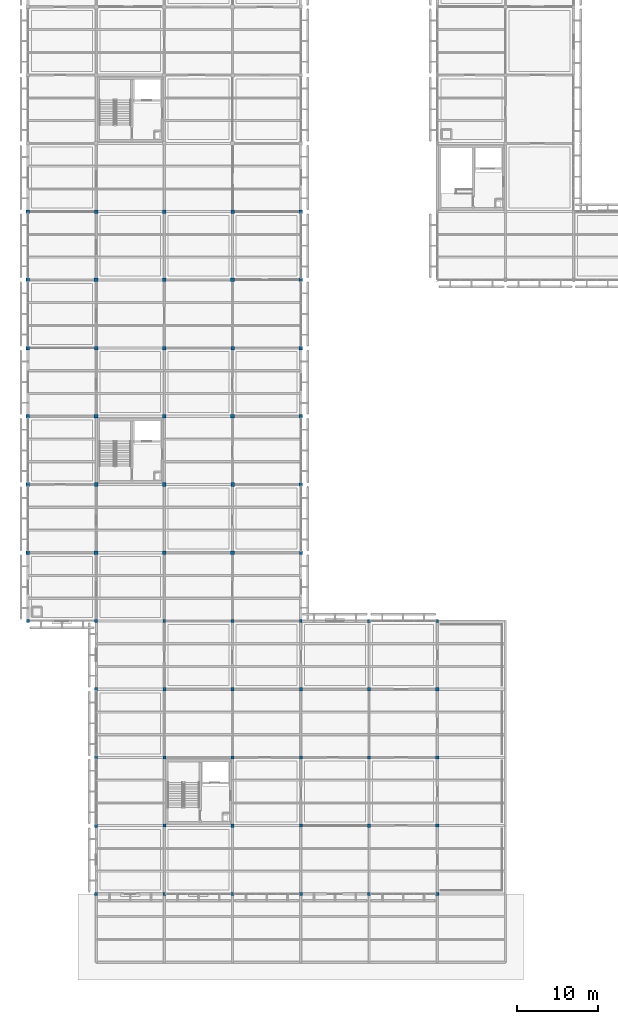
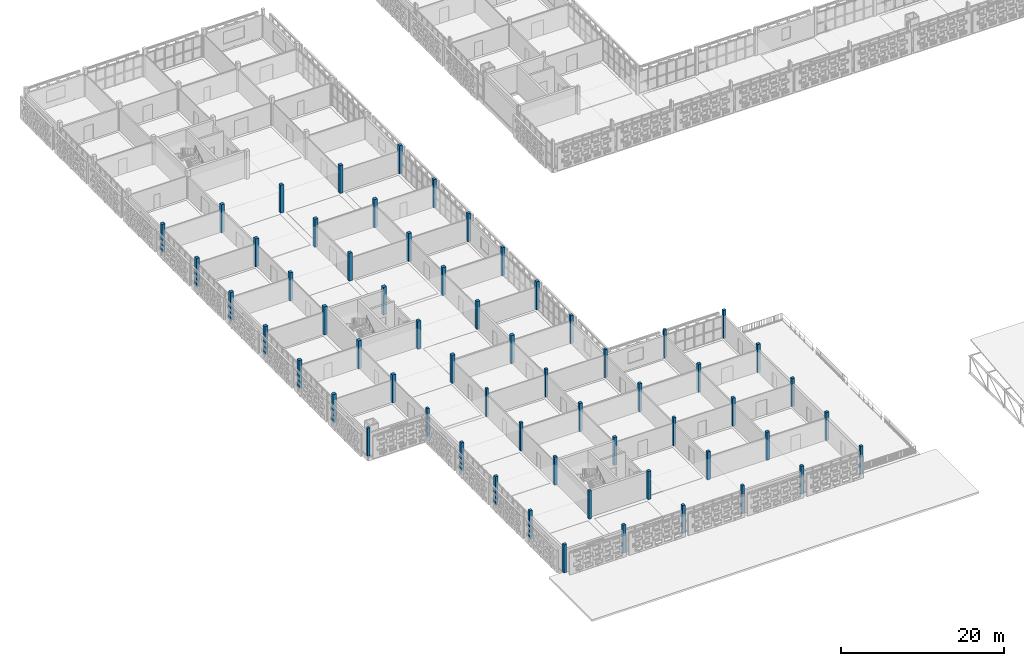
# One storey, part 1 of 140: 61 columns.
"""IFC4 building model written with IfcOpenShell, lengths in metres."""

from ifc_helpers import new_model, si_unit, direction, frame, origin, origin_2d, place, context, subcontext, project, spatial, rectangle, extrude, material, material_profile, profile_set, type_object, element, save


model = new_model("IFC4")

# Units and contexts
model_context = context("Model", 3, precision=1e-05, world=origin(), true_north=direction((0.0, 1.0)))
body_context = subcontext(model_context, "Body", "Model", "MODEL_VIEW")
ifc_project = project(units=[si_unit("LENGTHUNIT", "METRE"), si_unit("AREAUNIT", "SQUARE_METRE"), si_unit("VOLUMEUNIT", "CUBIC_METRE"), si_unit("PLANEANGLEUNIT", "RADIAN"), si_unit("MASSUNIT", "GRAM", prefix="KILO")], contexts=[model_context])

# Site, building, storey
site_placement = place(None, origin())
site = spatial("IfcSite", under=ifc_project, at=site_placement, CompositionType="ELEMENT")
building_placement = place(site_placement, origin())
building = spatial("IfcBuilding", under=site, at=building_placement, Name="Varnapada Polytechnic", CompositionType="ELEMENT")
storey_placement = place(building_placement, frame((0.0, 0.0, 13.800048828125)))
storey = spatial("IfcBuildingStorey", under=building, at=storey_placement, Name="L03", CompositionType="ELEMENT", Elevation=13.800048828125)

# Columns
ifc_material = material(Name="Glulam GL32h", Category="wood")
ifc_material_profile_1 = material_profile(ifc_material, rectangle(XDim=0.4599609375, YDim=0.4599609375, at=origin_2d()), Name="GL 460x460")
ifc_profile_set_1 = profile_set([ifc_material_profile_1], Name="Glulam GL32h")
column_type_1 = type_object("IfcColumnType", Name="Column C-12 (GL 460x460)", PredefinedType="COLUMN", material=ifc_profile_set_1)
for number, where, z_axis, x_axis, name in (
    (1, (0.0, 50.39990234375, 0.0), (0.0, 0.0, 1.0), (1.0, 0.0, 0.0), "L03 column 1/7"),
    (2, (0.0, 67.199951171875, 0.0), (0.0, 0.0, 1.0), (1.0, 0.0, 0.0), "L03 column 1/9"),
    (3, (0.0, 84.0, 0.0), (0.0, 0.0, 1.0), (1.0, 0.0, 0.0), "L03 column 1/11"),
    (4, (8.39990234375, 50.39990234375, 0.0), (0.0, 0.0, 1.0), (1.0, 0.0, 0.0), "L03 column 2/7"),
    (5, (8.39990234375, 67.199951171875, 0.0), (0.0, 0.0, 1.0), (1.0, 0.0, 0.0), "L03 column 2/9"),
    (6, (8.39990234375, 84.0, 0.0), (0.0, 0.0, 1.0), (1.0, 0.0, 0.0), "L03 column 2/11"),
    (7, (16.800048828125, 50.39990234375, 0.0), (0.0, 0.0, 1.0), (1.0, 0.0, 0.0), "L03 column 3/7"),
    (8, (16.800048828125, 67.199951171875, 0.0), (0.0, 0.0, 1.0), (1.0, 0.0, 0.0), "L03 column 3/9"),
    (9, (16.800048828125, 84.0, 0.0), (0.0, 0.0, 1.0), (1.0, 0.0, 0.0), "L03 column 3/11"),
    (10, (25.199951171875, 50.39990234375, 0.0), (0.0, 0.0, 1.0), (1.0, 0.0, 0.0), "L03 column 4/7"),
    (11, (25.199951171875, 67.199951171875, 0.0), (0.0, 0.0, 1.0), (1.0, 0.0, 0.0), "L03 column 4/9"),
    (12, (25.199951171875, 84.0, 0.0), (0.0, 0.0, 1.0), (1.0, 0.0, 0.0), "L03 column 4/11"),
):
    element("IfcColumn", number, at=place(storey_placement, frame(where, z_axis=z_axis, x_axis=x_axis)), inside=storey, type_object=column_type_1, Name=name, PredefinedType="COLUMN", context=body_context, shape_type="SweptSolid", body=[
        extrude(rectangle(XDim=0.4599609375, YDim=0.4599609375, at=origin_2d()), origin(), (0.0, 0.0, 1.0), 4.199951171875),
    ])
ifc_material_profile_2 = material_profile(ifc_material, rectangle(XDim=0.39990234375, YDim=0.39990234375, at=origin_2d()), Name="GL 400x400")
ifc_profile_set_2 = profile_set([ifc_material_profile_2], Name="Glulam GL32h")
column_type_2 = type_object("IfcColumnType", Name="Column C-13 (GL 400x400)", PredefinedType="COLUMN", material=ifc_profile_set_2)
for number, where, z_axis, x_axis, name in (
    (13, (8.39990234375, 8.39990234375, 0.0), (0.0, 0.0, 1.0), (1.0, 0.0, 0.0), "L03 column 2/2"),
    (14, (8.39990234375, 16.800048828125, 0.0), (0.0, 0.0, 1.0), (1.0, 0.0, 0.0), "L03 column 2/3"),
    (15, (8.39990234375, 25.199951171875, 0.0), (0.0, 0.0, 1.0), (1.0, 0.0, 0.0), "L03 column 2/4"),
    (16, (8.39990234375, 33.60009765625, 0.0), (0.0, 0.0, 1.0), (1.0, 0.0, 0.0), "L03 column 2/5"),
    (17, (25.199951171875, 8.39990234375, 0.0), (0.0, 0.0, 1.0), (1.0, 0.0, 0.0), "L03 column 4/2"),
    (18, (25.199951171875, 16.800048828125, 0.0), (0.0, 0.0, 1.0), (1.0, 0.0, 0.0), "L03 column 4/3"),
    (19, (25.199951171875, 25.199951171875, 0.0), (0.0, 0.0, 1.0), (1.0, 0.0, 0.0), "L03 column 4/4"),
    (20, (25.199951171875, 33.60009765625, 0.0), (0.0, 0.0, 1.0), (1.0, 0.0, 0.0), "L03 column 4/5"),
    (21, (42.0, 8.39990234375, 0.0), (0.0, 0.0, 1.0), (1.0, 0.0, 0.0), "L03 column 6/2"),
    (22, (42.0, 16.800048828125, 0.0), (0.0, 0.0, 1.0), (1.0, 0.0, 0.0), "L03 column 6/3"),
    (23, (42.0, 25.199951171875, 0.0), (0.0, 0.0, 1.0), (1.0, 0.0, 0.0), "L03 column 6/4"),
    (24, (42.0, 33.60009765625, 0.0), (0.0, 0.0, 1.0), (1.0, 0.0, 0.0), "L03 column 6/5"),
):
    element("IfcColumn", number, at=place(storey_placement, frame(where, z_axis=z_axis, x_axis=x_axis)), inside=storey, type_object=column_type_2, Name=name, PredefinedType="COLUMN", context=body_context, shape_type="SweptSolid", body=[
        extrude(rectangle(XDim=0.39990234375, YDim=0.39990234375, at=origin_2d()), origin(), (0.0, 0.0, 1.0), 4.199951171875),
    ])
ifc_material_profile_3 = material_profile(ifc_material, rectangle(XDim=0.419921875, YDim=0.419921875, at=origin_2d()), Name="GL 420x420")
ifc_profile_set_3 = profile_set([ifc_material_profile_3], Name="Glulam GL32h")
column_type_3 = type_object("IfcColumnType", Name="Column C-23 (GL 420x420)", PredefinedType="COLUMN", material=ifc_profile_set_3)
for number, where, z_axis, x_axis, name in (
    (25, (33.60009765625, 58.800048828125, 0.0), (0.0, 0.0, 1.0), (1.0, 0.0, 0.0), "L03 column 5/8"),
    (26, (33.60009765625, 67.199951171875, 0.0), (0.0, 0.0, 1.0), (1.0, 0.0, 0.0), "L03 column 5/9"),
    (27, (33.60009765625, 75.60009765625, 0.0), (0.0, 0.0, 1.0), (1.0, 0.0, 0.0), "L03 column 5/10"),
    (28, (33.60009765625, 84.0, 0.0), (0.0, 0.0, 1.0), (1.0, 0.0, 0.0), "L03 column 5/11"),
    (29, (33.60009765625, 92.39990234375, 0.0), (0.0, 0.0, 1.0), (1.0, 0.0, 0.0), "L03 column 5/12"),
):
    element("IfcColumn", number, at=place(storey_placement, frame(where, z_axis=z_axis, x_axis=x_axis)), inside=storey, type_object=column_type_3, Name=name, PredefinedType="COLUMN", context=body_context, shape_type="SweptSolid", body=[
        extrude(rectangle(XDim=0.419921875, YDim=0.419921875, at=origin_2d()), origin(), (0.0, 0.0, 1.0), 4.199951171875),
    ])
ifc_material_profile_4 = material_profile(ifc_material, rectangle(XDim=0.3798828125, YDim=0.3798828125, at=origin_2d()), Name="GL 380x380")
ifc_profile_set_4 = profile_set([ifc_material_profile_4], Name="Glulam GL32h")
column_type_4 = type_object("IfcColumnType", Name="Column C-24 (GL 380x380)", PredefinedType="COLUMN", material=ifc_profile_set_4)
for number, where, z_axis, x_axis, name in (
    (30, (16.800048828125, 8.39990234375, 0.0), (0.0, 0.0, 1.0), (1.0, 0.0, 0.0), "L03 column 3/2"),
    (31, (16.800048828125, 16.800048828125, 0.0), (0.0, 0.0, 1.0), (1.0, 0.0, 0.0), "L03 column 3/3"),
    (32, (16.800048828125, 25.199951171875, 0.0), (0.0, 0.0, 1.0), (1.0, 0.0, 0.0), "L03 column 3/4"),
    (33, (16.800048828125, 33.60009765625, 0.0), (0.0, 0.0, 1.0), (1.0, 0.0, 0.0), "L03 column 3/5"),
    (34, (33.60009765625, 8.39990234375, 0.0), (0.0, 0.0, 1.0), (1.0, 0.0, 0.0), "L03 column 5/2"),
    (35, (33.60009765625, 16.800048828125, 0.0), (0.0, 0.0, 1.0), (1.0, 0.0, 0.0), "L03 column 5/3"),
    (36, (33.60009765625, 25.199951171875, 0.0), (0.0, 0.0, 1.0), (1.0, 0.0, 0.0), "L03 column 5/4"),
    (37, (33.60009765625, 33.60009765625, 0.0), (0.0, 0.0, 1.0), (1.0, 0.0, 0.0), "L03 column 5/5"),
    (38, (33.60009765625, 50.39990234375, 0.0), (0.0, 0.0, 1.0), (1.0, 0.0, 0.0), "L03 column 5/7"),
    (39, (50.39990234375, 8.39990234375, 0.0), (0.0, 0.0, 1.0), (1.0, 0.0, 0.0), "L03 column 7/2"),
    (40, (50.39990234375, 16.800048828125, 0.0), (0.0, 0.0, 1.0), (1.0, 0.0, 0.0), "L03 column 7/3"),
    (41, (50.39990234375, 25.199951171875, 0.0), (0.0, 0.0, 1.0), (1.0, 0.0, 0.0), "L03 column 7/4"),
    (42, (50.39990234375, 33.60009765625, 0.0), (0.0, 0.0, 1.0), (1.0, 0.0, 0.0), "L03 column 7/5"),
):
    element("IfcColumn", number, at=place(storey_placement, frame(where, z_axis=z_axis, x_axis=x_axis)), inside=storey, type_object=column_type_4, Name=name, PredefinedType="COLUMN", context=body_context, shape_type="SweptSolid", body=[
        extrude(rectangle(XDim=0.3798828125, YDim=0.3798828125, at=origin_2d()), origin(), (0.0, 0.0, 1.0), 4.199951171875),
    ])
ifc_material_profile_5 = material_profile(ifc_material, rectangle(XDim=0.43994140625, YDim=0.43994140625, at=origin_2d()), Name="GL 440x440")
ifc_profile_set_5 = profile_set([ifc_material_profile_5], Name="Glulam GL32h")
column_type_5 = type_object("IfcColumnType", Name="Column C-26 (GL 440x440)", PredefinedType="COLUMN", material=ifc_profile_set_5)
for number, where, z_axis, x_axis, name in (
    (43, (0.0, 58.800048828125, 0.0), (0.0, 0.0, 1.0), (1.0, 0.0, 0.0), "L03 column 1/8"),
    (44, (0.0, 75.60009765625, 0.0), (0.0, 0.0, 1.0), (1.0, 0.0, 0.0), "L03 column 1/10"),
    (45, (0.0, 92.39990234375, 0.0), (0.0, 0.0, 1.0), (1.0, 0.0, 0.0), "L03 column 1/12"),
    (46, (8.39990234375, 58.800048828125, 0.0), (0.0, 0.0, 1.0), (1.0, 0.0, 0.0), "L03 column 2/8"),
    (47, (8.39990234375, 75.60009765625, 0.0), (0.0, 0.0, 1.0), (1.0, 0.0, 0.0), "L03 column 2/10"),
    (48, (8.39990234375, 92.39990234375, 0.0), (0.0, 0.0, 1.0), (1.0, 0.0, 0.0), "L03 column 2/12"),
    (49, (16.800048828125, 58.800048828125, 0.0), (0.0, 0.0, 1.0), (1.0, 0.0, 0.0), "L03 column 3/8"),
    (50, (16.800048828125, 75.60009765625, 0.0), (0.0, 0.0, 1.0), (1.0, 0.0, 0.0), "L03 column 3/10"),
    (51, (16.800048828125, 92.39990234375, 0.0), (0.0, 0.0, 1.0), (1.0, 0.0, 0.0), "L03 column 3/12"),
    (52, (25.199951171875, 58.800048828125, 0.0), (0.0, 0.0, 1.0), (1.0, 0.0, 0.0), "L03 column 4/8"),
    (53, (25.199951171875, 75.60009765625, 0.0), (0.0, 0.0, 1.0), (1.0, 0.0, 0.0), "L03 column 4/10"),
    (54, (25.199951171875, 92.39990234375, 0.0), (0.0, 0.0, 1.0), (1.0, 0.0, 0.0), "L03 column 4/12"),
):
    element("IfcColumn", number, at=place(storey_placement, frame(where, z_axis=z_axis, x_axis=x_axis)), inside=storey, type_object=column_type_5, Name=name, PredefinedType="COLUMN", context=body_context, shape_type="SweptSolid", body=[
        extrude(rectangle(XDim=0.43994140625, YDim=0.43994140625, at=origin_2d()), origin(), (0.0, 0.0, 1.0), 4.199951171875),
    ])
ifc_material_profile_6 = material_profile(ifc_material, rectangle(XDim=0.340087890625, YDim=0.340087890625, at=origin_2d()), Name="GL 340x340")
ifc_profile_set_6 = profile_set([ifc_material_profile_6], Name="Glulam GL32h")
column_type_6 = type_object("IfcColumnType", Name="Column C-27 (GL 340x340)", PredefinedType="COLUMN", material=ifc_profile_set_6)
for number, where, z_axis, x_axis, name in (
    (55, (0.0, 42.0, 0.0), (0.0, 0.0, 1.0), (1.0, 0.0, 0.0), "L03 column 1/6"),
    (56, (8.39990234375, 42.0, 0.0), (0.0, 0.0, 1.0), (1.0, 0.0, 0.0), "L03 column 2/6"),
    (57, (16.800048828125, 42.0, 0.0), (0.0, 0.0, 1.0), (1.0, 0.0, 0.0), "L03 column 3/6"),
    (58, (25.199951171875, 42.0, 0.0), (0.0, 0.0, 1.0), (1.0, 0.0, 0.0), "L03 column 4/6"),
    (59, (33.60009765625, 42.0, 0.0), (0.0, 0.0, 1.0), (1.0, 0.0, 0.0), "L03 column 5/6"),
    (60, (42.0, 42.0, 0.0), (0.0, 0.0, 1.0), (1.0, 0.0, 0.0), "L03 column 6/6"),
    (61, (50.39990234375, 42.0, 0.0), (0.0, 0.0, 1.0), (1.0, 0.0, 0.0), "L03 column 7/6"),
):
    element("IfcColumn", number, at=place(storey_placement, frame(where, z_axis=z_axis, x_axis=x_axis)), inside=storey, type_object=column_type_6, Name=name, PredefinedType="COLUMN", context=body_context, shape_type="SweptSolid", body=[
        extrude(rectangle(XDim=0.340087890625, YDim=0.340087890625, at=origin_2d()), origin(), (0.0, 0.0, 1.0), 4.199951171875),
    ])

save(model, "model.ifc")
